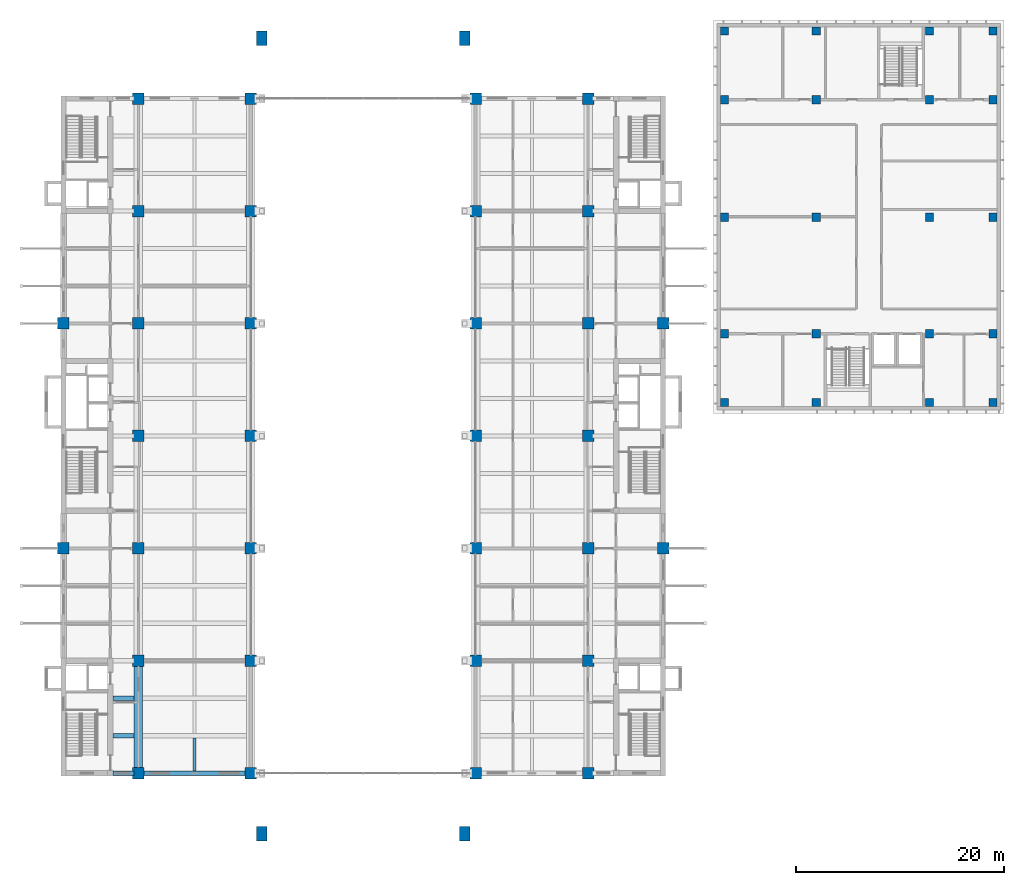
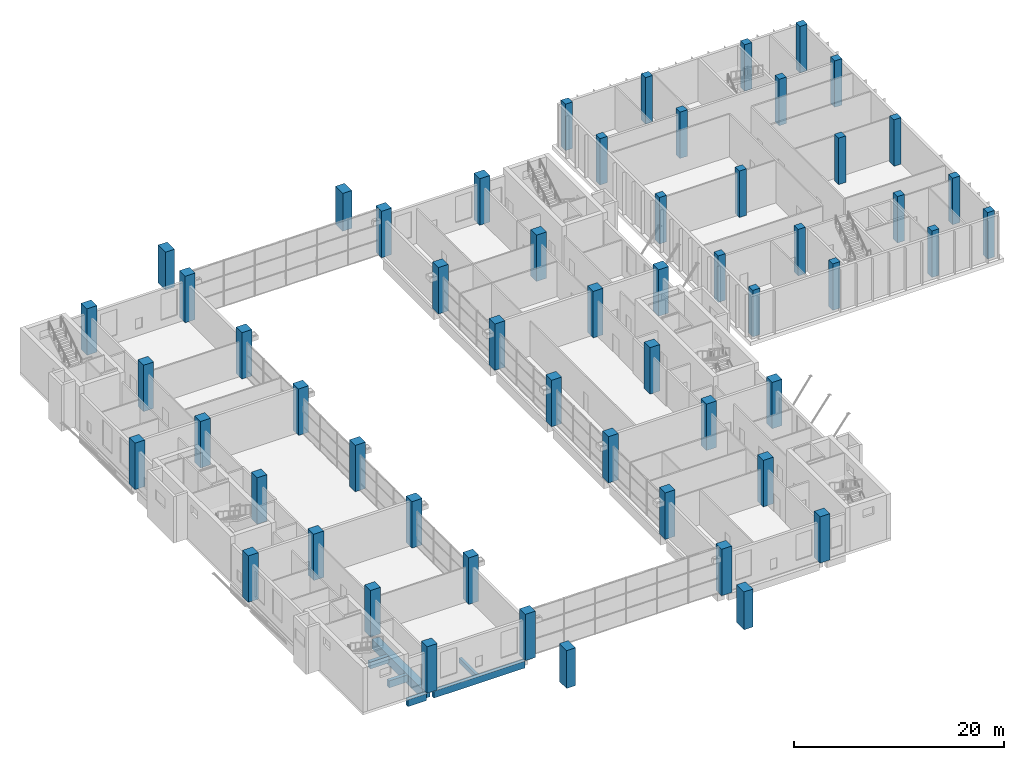
# One storey, part 1 of 38: 56 columns, 6 beams.
"""IFC4 building model written with IfcOpenShell, lengths in metres."""

from ifc_helpers import new_model, si_unit, direction, frame, origin, origin_2d, place, context, subcontext, project, spatial, rectangle, extrude, material, material_profile, profile_set, type_object, element, save


model = new_model("IFC4")

# Units and contexts
model_context = context("Model", 3, precision=1e-05, world=origin(), true_north=direction((0.0, 1.0)))
body_context = subcontext(model_context, "Body", "Model", "MODEL_VIEW")
ifc_project = project(units=[si_unit("LENGTHUNIT", "METRE"), si_unit("AREAUNIT", "SQUARE_METRE"), si_unit("VOLUMEUNIT", "CUBIC_METRE"), si_unit("PLANEANGLEUNIT", "RADIAN"), si_unit("MASSUNIT", "GRAM", prefix="KILO")], contexts=[model_context])

# Site, building, storey
site_placement = place(None, origin())
site = spatial("IfcSite", under=ifc_project, at=site_placement, CompositionType="ELEMENT")
building_placement = place(site_placement, origin())
building = spatial("IfcBuilding", under=site, at=building_placement, Name="Basin Gate Institute", CompositionType="ELEMENT")
storey_placement = place(building_placement, frame((0.0, 0.0, 16.800048828125)))
storey = spatial("IfcBuildingStorey", under=building, at=storey_placement, Name="L03", CompositionType="ELEMENT", Elevation=16.800048828125)

# Columns
ifc_material_1 = material(Name="Concrete 60 MPa", Category="concrete")
ifc_material_profile_1 = material_profile(ifc_material_1, rectangle(XDim=1.10009765625, YDim=1.10009765625, at=origin_2d()), Name="Column C1 1100 x 1100")
ifc_profile_set_1 = profile_set([ifc_material_profile_1], Name="Concrete 60 MPa")
column_type_1 = type_object("IfcColumnType", Name="Column C1 R180", PredefinedType="COLUMN", material=ifc_profile_set_1)
for number, where, z_axis, x_axis, name in (
    (1, (61.199951171875, 56.699951171875, 0.0), (0.0, 0.0, 1.0), (1.0, 0.0, 0.0), "COL/L03/4C"),
    (2, (61.199951171875, 78.300048828125, 0.0), (0.0, 0.0, 1.0), (1.0, 0.0, 0.0), "COL/L03/4E"),
    (3, (68.39990234375, 35.10009765625, 0.0), (0.0, 0.0, 1.0), (1.0, 0.0, 0.0), "COL/L03/5A"),
    (4, (68.39990234375, 45.89990234375, 0.0), (0.0, 0.0, 1.0), (1.0, 0.0, 0.0), "COL/L03/5B"),
    (5, (68.39990234375, 56.699951171875, 0.0), (0.0, 0.0, 1.0), (1.0, 0.0, 0.0), "COL/L03/5C"),
    (6, (68.39990234375, 67.5, 0.0), (0.0, 0.0, 1.0), (1.0, 0.0, 0.0), "COL/L03/5D"),
    (7, (68.39990234375, 78.300048828125, 0.0), (0.0, 0.0, 1.0), (1.0, 0.0, 0.0), "COL/L03/5E"),
    (8, (68.39990234375, 89.10009765625, 0.0), (0.0, 0.0, 1.0), (1.0, 0.0, 0.0), "COL/L03/5F"),
    (9, (68.39990234375, 99.89990234375, 0.0), (0.0, 0.0, 1.0), (1.0, 0.0, 0.0), "COL/L03/5G"),
    (10, (79.199951171875, 35.10009765625, 0.0), (0.0, 0.0, 1.0), (1.0, 0.0, 0.0), "COL/L03/6A"),
    (11, (79.199951171875, 45.89990234375, 0.0), (0.0, 0.0, 1.0), (1.0, 0.0, 0.0), "COL/L03/6B"),
    (12, (79.199951171875, 56.699951171875, 0.0), (0.0, 0.0, 1.0), (1.0, 0.0, 0.0), "COL/L03/6C"),
    (13, (79.199951171875, 67.5, 0.0), (0.0, 0.0, 1.0), (1.0, 0.0, 0.0), "COL/L03/6D"),
    (14, (79.199951171875, 78.300048828125, 0.0), (0.0, 0.0, 1.0), (1.0, 0.0, 0.0), "COL/L03/6E"),
    (15, (79.199951171875, 89.10009765625, 0.0), (0.0, 0.0, 1.0), (1.0, 0.0, 0.0), "COL/L03/6F"),
    (16, (79.199951171875, 99.89990234375, 0.0), (0.0, 0.0, 1.0), (1.0, 0.0, 0.0), "COL/L03/6G"),
    (17, (118.800048828125, 56.699951171875, 0.0), (0.0, 0.0, 1.0), (1.0, 0.0, 0.0), "COL/L03/9C"),
    (18, (118.800048828125, 78.300048828125, 0.0), (0.0, 0.0, 1.0), (1.0, 0.0, 0.0), "COL/L03/9E"),
    (19, (111.60009765625, 35.10009765625, 0.0), (0.0, 0.0, 1.0), (1.0, 0.0, 0.0), "COL/L03/8A"),
    (20, (111.60009765625, 45.89990234375, 0.0), (0.0, 0.0, 1.0), (1.0, 0.0, 0.0), "COL/L03/8B"),
    (21, (111.60009765625, 56.699951171875, 0.0), (0.0, 0.0, 1.0), (1.0, 0.0, 0.0), "COL/L03/8C"),
    (22, (111.60009765625, 67.5, 0.0), (0.0, 0.0, 1.0), (1.0, 0.0, 0.0), "COL/L03/8D"),
    (23, (111.60009765625, 78.300048828125, 0.0), (0.0, 0.0, 1.0), (1.0, 0.0, 0.0), "COL/L03/8E"),
    (24, (111.60009765625, 89.10009765625, 0.0), (0.0, 0.0, 1.0), (1.0, 0.0, 0.0), "COL/L03/8F"),
    (25, (111.60009765625, 99.89990234375, 0.0), (0.0, 0.0, 1.0), (1.0, 0.0, 0.0), "COL/L03/8G"),
    (26, (100.800048828125, 35.10009765625, 0.0), (0.0, 0.0, 1.0), (1.0, 0.0, 0.0), "COL/L03/7A"),
    (27, (100.800048828125, 45.89990234375, 0.0), (0.0, 0.0, 1.0), (1.0, 0.0, 0.0), "COL/L03/7B"),
    (28, (100.800048828125, 56.699951171875, 0.0), (0.0, 0.0, 1.0), (1.0, 0.0, 0.0), "COL/L03/7C"),
    (29, (100.800048828125, 67.5, 0.0), (0.0, 0.0, 1.0), (1.0, 0.0, 0.0), "COL/L03/7D"),
    (30, (100.800048828125, 78.300048828125, 0.0), (0.0, 0.0, 1.0), (1.0, 0.0, 0.0), "COL/L03/7E"),
    (31, (100.800048828125, 89.10009765625, 0.0), (0.0, 0.0, 1.0), (1.0, 0.0, 0.0), "COL/L03/7F"),
    (32, (100.800048828125, 99.89990234375, 0.0), (0.0, 0.0, 1.0), (1.0, 0.0, 0.0), "COL/L03/7G"),
):
    element("IfcColumn", number, at=place(storey_placement, frame(where, z_axis=z_axis, x_axis=x_axis)), inside=storey, type_object=column_type_1, material=ifc_profile_set_1, Name=name, PredefinedType="COLUMN", context=body_context, shape_type="SweptSolid", body=[
        extrude(rectangle(XDim=1.10009765625, YDim=1.10009765625, at=origin_2d()), origin(), (0.0, 0.0, 1.0), 5.39990234375),
    ])
ifc_material_2 = material(Name="Concrete 50 MPa", Category="concrete")
ifc_material_profile_2 = material_profile(ifc_material_2, rectangle(XDim=0.800048828125, YDim=0.800048828125, at=origin_2d()), Name="Column C4 800 x 800")
ifc_profile_set_2 = profile_set([ifc_material_profile_2], Name="Concrete 50 MPa")
column_type_2 = type_object("IfcColumnType", Name="Column C4 R180", PredefinedType="COLUMN", material=ifc_profile_set_2)
for number, where, z_axis, x_axis, name in (
    (33, (124.699951171875, 70.699951171875, 0.0), (0.0, 0.0, 1.0), (1.0, 0.0, 0.0), "Clean block column R180 1/1 L03"),
    (34, (124.699951171875, 77.300048828125, 0.0), (0.0, 0.0, 1.0), (1.0, 0.0, 0.0), "Clean block column R180 1/2 L03"),
    (35, (124.699951171875, 88.5, 0.0), (0.0, 0.0, 1.0), (1.0, 0.0, 0.0), "Clean block column R180 1/3 L03"),
    (36, (124.699951171875, 99.800048828125, 0.0), (0.0, 0.0, 1.0), (1.0, 0.0, 0.0), "Clean block column R180 1/4 L03"),
    (37, (124.699951171875, 106.39990234375, 0.0), (0.0, 0.0, 1.0), (1.0, 0.0, 0.0), "Clean block column R180 1/5 L03"),
    (38, (133.5, 70.699951171875, 0.0), (0.0, 0.0, 1.0), (1.0, 0.0, 0.0), "Clean block column R180 2/1 L03"),
    (39, (133.5, 77.300048828125, 0.0), (0.0, 0.0, 1.0), (1.0, 0.0, 0.0), "Clean block column R180 2/2 L03"),
    (40, (133.5, 88.5, 0.0), (0.0, 0.0, 1.0), (1.0, 0.0, 0.0), "Clean block column R180 2/3 L03"),
    (41, (133.5, 99.800048828125, 0.0), (0.0, 0.0, 1.0), (1.0, 0.0, 0.0), "Clean block column R180 2/4 L03"),
    (42, (133.5, 106.39990234375, 0.0), (0.0, 0.0, 1.0), (1.0, 0.0, 0.0), "Clean block column R180 2/5 L03"),
    (43, (144.39990234375, 70.699951171875, 0.0), (0.0, 0.0, 1.0), (1.0, 0.0, 0.0), "Clean block column R180 3/1 L03"),
    (44, (144.39990234375, 77.300048828125, 0.0), (0.0, 0.0, 1.0), (1.0, 0.0, 0.0), "Clean block column R180 3/2 L03"),
    (45, (144.39990234375, 88.5, 0.0), (0.0, 0.0, 1.0), (1.0, 0.0, 0.0), "Clean block column R180 3/3 L03"),
    (46, (144.39990234375, 99.800048828125, 0.0), (0.0, 0.0, 1.0), (1.0, 0.0, 0.0), "Clean block column R180 3/4 L03"),
    (47, (144.39990234375, 106.39990234375, 0.0), (0.0, 0.0, 1.0), (1.0, 0.0, 0.0), "Clean block column R180 3/5 L03"),
    (48, (150.5, 70.699951171875, 0.0), (0.0, 0.0, 1.0), (1.0, 0.0, 0.0), "Clean block column R180 4/1 L03"),
    (49, (150.5, 77.300048828125, 0.0), (0.0, 0.0, 1.0), (1.0, 0.0, 0.0), "Clean block column R180 4/2 L03"),
    (50, (150.5, 88.5, 0.0), (0.0, 0.0, 1.0), (1.0, 0.0, 0.0), "Clean block column R180 4/3 L03"),
    (51, (150.5, 99.800048828125, 0.0), (0.0, 0.0, 1.0), (1.0, 0.0, 0.0), "Clean block column R180 4/4 L03"),
    (52, (150.5, 106.39990234375, 0.0), (0.0, 0.0, 1.0), (1.0, 0.0, 0.0), "Clean block column R180 4/5 L03"),
):
    element("IfcColumn", number, at=place(storey_placement, frame(where, z_axis=z_axis, x_axis=x_axis)), inside=storey, type_object=column_type_2, material=ifc_profile_set_2, Name=name, PredefinedType="COLUMN", context=body_context, shape_type="SweptSolid", body=[
        extrude(rectangle(XDim=0.800048828125, YDim=0.800048828125, at=origin_2d()), origin(), (0.0, 0.0, 1.0), 5.39990234375),
    ])
ifc_material_3 = material(Name="Concrete 40 MPa", Category="concrete")
ifc_material_profile_3 = material_profile(ifc_material_3, rectangle(XDim=1.0, YDim=1.39990234375, at=origin_2d()), Name="Shell portal column SC1 1000 x 1400")
ifc_profile_set_3 = profile_set([ifc_material_profile_3], Name="Concrete 40 MPa")
column_type_3 = type_object("IfcColumnType", Name="Shell portal column SC1 R180", PredefinedType="COLUMN", material=ifc_profile_set_3)
for number, where, z_axis, x_axis, name in (
    (53, (80.25, 29.300048828125, 0.0), (0.0, 0.0, 1.0), (1.0, 0.0, 0.0), "Atrium shell portal column R180 SW L03"),
    (54, (99.75, 29.300048828125, 0.0), (0.0, 0.0, 1.0), (1.0, 0.0, 0.0), "Atrium shell portal column R180 SE L03"),
    (55, (80.25, 105.699951171875, 0.0), (0.0, 0.0, 1.0), (1.0, 0.0, 0.0), "Atrium shell portal column R180 NW L03"),
    (56, (99.75, 105.699951171875, 0.0), (0.0, 0.0, 1.0), (1.0, 0.0, 0.0), "Atrium shell portal column R180 NE L03"),
):
    element("IfcColumn", number, at=place(storey_placement, frame(where, z_axis=z_axis, x_axis=x_axis)), inside=storey, type_object=column_type_3, material=ifc_profile_set_3, Name=name, PredefinedType="COLUMN", context=body_context, shape_type="SweptSolid", body=[
        extrude(rectangle(XDim=1.0, YDim=1.39990234375, at=origin_2d()), origin(), (0.0, 0.0, 1.0), 4.39990234375),
    ])

# Beams
ifc_material_4 = material(Name="Concrete 40 MPa", Category="concrete")
ifc_material_profile_4 = material_profile(ifc_material_4, rectangle(XDim=0.39990234375, YDim=0.800048828125, at=origin_2d()), Name="Beam B2 400 x 800")
ifc_profile_set_4 = profile_set([ifc_material_profile_4], Name="Concrete 40 MPa")
beam_type_1 = type_object("IfcBeamType", Name="Beam B2 R180", PredefinedType="BEAM", material=ifc_profile_set_4)
beam_1_placement = place(storey_placement, frame((68.800048828125, 35.10009765625, -0.699951171875), z_axis=(1.0, 0.0, 0.0), x_axis=(0.0, 1.0, 0.0)))
element("IfcBeam", 57, at=beam_1_placement, inside=storey, type_object=beam_type_1, material=ifc_profile_set_4, Name="BEAM/L03/W/EW/01", PredefinedType="BEAM", context=body_context, shape_type="SweptSolid", body=[
    extrude(rectangle(XDim=0.39990234375, YDim=0.800048828125, at=origin_2d()), origin(), (0.0, 0.0, 1.0), 10.0),
])
for number, where, z_axis, x_axis, name in (
    (58, (65.949951171875, 35.10009765625, -0.699951171875), (1.0, 0.0, 0.0), (0.0, 1.0, 0.0), "BEAM/L03/W/CORR/01"),
    (59, (65.949951171875, 38.699951171875, -0.699951171875), (1.0, 0.0, 0.0), (0.0, 1.0, 0.0), "BEAM/L03/W/CORR/02"),
    (60, (65.949951171875, 42.300048828125, -0.699951171875), (1.0, 0.0, 0.0), (0.0, 1.0, 0.0), "BEAM/L03/W/CORR/03"),
):
    element("IfcBeam", number, at=place(storey_placement, frame(where, z_axis=z_axis, x_axis=x_axis)), inside=storey, type_object=beam_type_1, material=ifc_profile_set_4, Name=name, PredefinedType="BEAM", context=body_context, shape_type="SweptSolid", body=[
        extrude(rectangle(XDim=0.39990234375, YDim=0.800048828125, at=origin_2d()), origin(), (0.0, 0.0, 1.0), 2.050048828125),
    ])
ifc_material_5 = material(Name="Concrete 50 MPa", Category="concrete")
ifc_material_profile_5 = material_profile(ifc_material_5, rectangle(XDim=0.800048828125, YDim=1.10009765625, at=origin_2d()), Name="Girder G2 800 x 1100")
ifc_profile_set_5 = profile_set([ifc_material_profile_5], Name="Concrete 50 MPa")
beam_type_2 = type_object("IfcBeamType", Name="Girder G2 R180", PredefinedType="BEAM", material=ifc_profile_set_5)
beam_2_placement = place(storey_placement, frame((68.39990234375, 35.64990234375, -0.85009765625), z_axis=(0.0, 1.0, 0.0), x_axis=(-1.0, 0.0, 0.0)))
element("IfcBeam", 61, at=beam_2_placement, inside=storey, type_object=beam_type_2, material=ifc_profile_set_5, Name="GIR/L03/W5/1", PredefinedType="BEAM", context=body_context, shape_type="SweptSolid", body=[
    extrude(rectangle(XDim=0.800048828125, YDim=1.10009765625, at=origin_2d()), origin(), (0.0, 0.0, 1.0), 9.7001953125),
])
ifc_material_6 = material(Name="Concrete 40 MPa", Category="concrete")
ifc_material_profile_6 = material_profile(ifc_material_6, rectangle(XDim=0.300048828125, YDim=0.60009765625, at=origin_2d()), Name="Rib R2 300 x 600")
ifc_profile_set_6 = profile_set([ifc_material_profile_6], Name="Concrete 40 MPa")
beam_type_3 = type_object("IfcBeamType", Name="Rib R2 R180", PredefinedType="JOIST", material=ifc_profile_set_6)
beam_3_placement = place(storey_placement, frame((73.800048828125, 35.300048828125, -0.60009765625), z_axis=(0.0, 1.0, 0.0), x_axis=(-1.0, 0.0, 0.0)))
element("IfcBeam", 62, at=beam_3_placement, inside=storey, type_object=beam_type_3, material=ifc_profile_set_6, Name="BEAM/L03/W/RIB/01", PredefinedType="JOIST", context=body_context, shape_type="SweptSolid", body=[
    extrude(rectangle(XDim=0.300048828125, YDim=0.60009765625, at=origin_2d()), origin(), (0.0, 0.0, 1.0), 3.199951171875),
])

save(model, "model.ifc")
